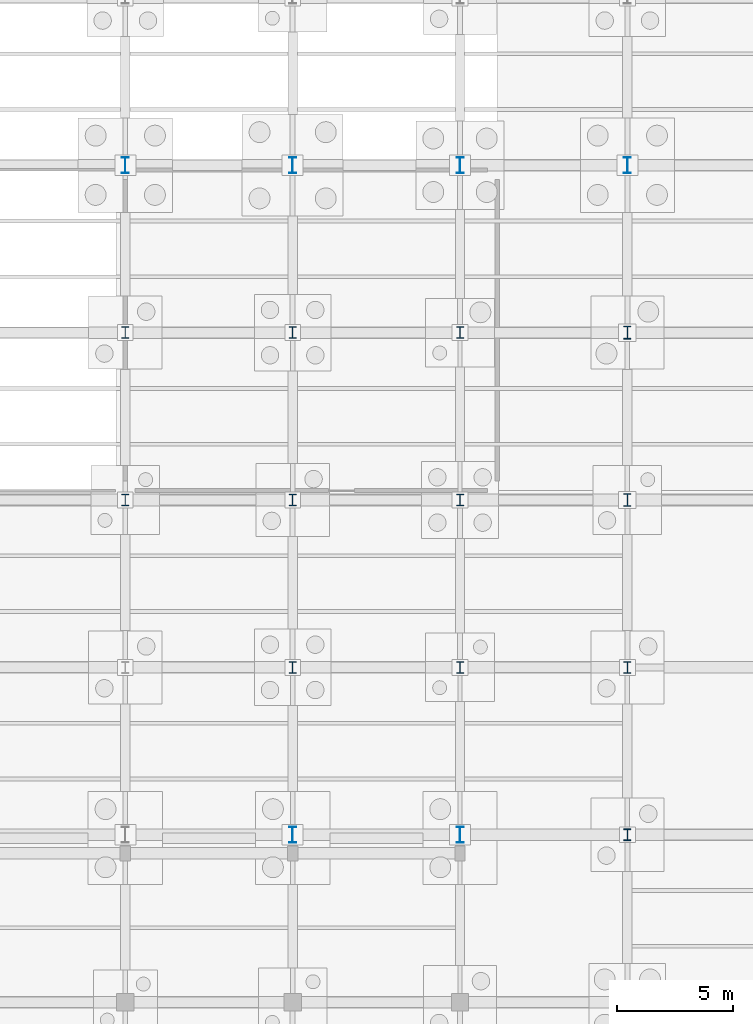
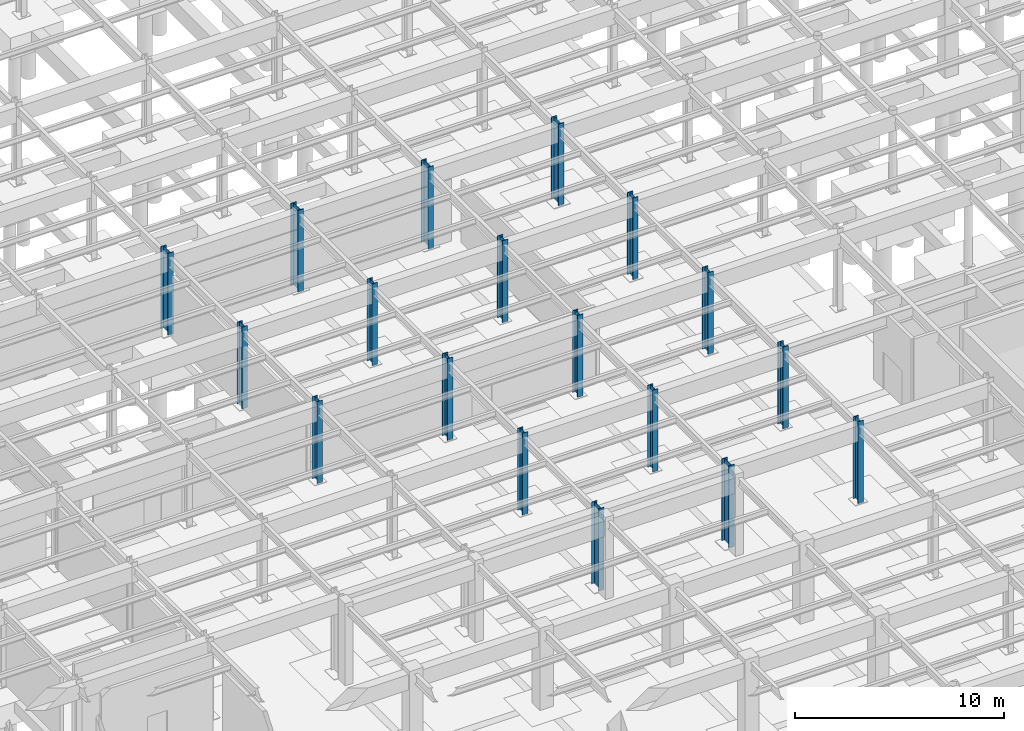
# One storey, part 24 of 64: 18 columns.
"""IFC4 building model written with IfcOpenShell, lengths in metres."""

import ifcopenshell
import ifcopenshell.guid

model = None  # the IFC model being written
_history = None  # IfcOwnerHistory: only IFC2X3 demands one
_inside = {}  # id of a spatial element -> (the spatial element, [elements in it])
_under = {}  # id of a project, library or spatial element -> (it, [spatial elements below it])
_declared = {}  # id of a project -> (the project, [libraries it declares])
_typed = {}  # id of a type object -> (the type object, [elements of that type])
_made_of = {}  # id of a material, layer set ... -> (it, [elements and type objects made of it])


def new_model(schema):
    """Start an empty IFC model of exactly this schema.

    Asked for "IFC4X3", IfcOpenShell would pick the latest addendum, in which some entities
    have other attributes; the version numbers below select the first issue.
    IFC2X3 requires an IfcOwnerHistory on every rooted entity: one is made here for all.
    """
    global model, _history
    if schema == "IFC4X3":
        model = ifcopenshell.file(schema_version=(4, 3, 0, 0))
    else:
        model = ifcopenshell.file(schema=schema)
    _inside.clear()
    _under.clear()
    _declared.clear()
    _typed.clear()
    _made_of.clear()
    _history = None
    if model.schema == "IFC2X3":
        org = make("IfcOrganization", Name="unknown")
        user = make(
            "IfcPersonAndOrganization",
            ThePerson=make("IfcPerson", FamilyName="unknown"),
            TheOrganization=org,
        )
        app = make(
            "IfcApplication",
            ApplicationDeveloper=org,
            Version="unknown",
            ApplicationFullName="unknown",
            ApplicationIdentifier="unknown",
        )
        _history = make(
            "IfcOwnerHistory",
            OwningUser=user,
            OwningApplication=app,
            ChangeAction="ADDED",
            CreationDate=0,
        )
    return model


def make(cls, **values):
    """One entity of the class cls with the attributes given. An attribute that is None is left unset."""
    return model.create_entity(
        cls, **{name: value for name, value in values.items() if value is not None}
    )


def rooted(cls, **values):
    """An entity with a GlobalId (a new one), such as an element, a storey or a relation."""
    return make(cls, GlobalId=ifcopenshell.guid.new(), OwnerHistory=_history, **values)


def si_unit(unit_type, name, prefix=None):
    """IfcSIUnit, for example si_unit("LENGTHUNIT", "METRE", prefix="MILLI")."""
    return make("IfcSIUnit", UnitType=unit_type, Prefix=prefix, Name=name)


def assignment(units):
    """IfcUnitAssignment: the units of a project."""
    return None if units is None else make("IfcUnitAssignment", Units=units)


def point(xyz):
    """IfcCartesianPoint."""
    return None if xyz is None else make("IfcCartesianPoint", Coordinates=xyz)


def direction(xyz):
    """IfcDirection."""
    return None if xyz is None else make("IfcDirection", DirectionRatios=xyz)


def frame(location, z_axis=None, x_axis=None):
    """IfcAxis2Placement3D, a coordinate frame: its origin and axes. An axis left out is left unset."""
    return make(
        "IfcAxis2Placement3D",
        Location=point(location),
        Axis=direction(z_axis),
        RefDirection=direction(x_axis),
    )


def frame_2d(location, x_axis=None):
    """IfcAxis2Placement2D, a coordinate frame in the plane: its origin and x axis."""
    return make(
        "IfcAxis2Placement2D", Location=point(location), RefDirection=direction(x_axis)
    )


def origin():
    """The frame at (0, 0, 0) with its axes left unset."""
    return frame((0.0, 0.0, 0.0))


def origin_2d():
    """The frame at (0, 0) in the plane with its x axis left unset."""
    return frame_2d((0.0, 0.0))


def place(relative_to, where):
    """IfcLocalPlacement: puts the frame where relative to a parent placement (None: the world)."""
    return make(
        "IfcLocalPlacement", PlacementRelTo=relative_to, RelativePlacement=where
    )


def context(
    kind, dimensions, precision=None, world=None, true_north=None, identifier=None
):
    """IfcGeometricRepresentationContext, for example the 3D "Model" context."""
    return make(
        "IfcGeometricRepresentationContext",
        ContextIdentifier=identifier,
        ContextType=kind,
        CoordinateSpaceDimension=dimensions,
        Precision=precision,
        WorldCoordinateSystem=world,
        TrueNorth=true_north,
    )


def subcontext(parent, identifier, kind, view, scale=None):
    """IfcGeometricRepresentationSubContext, for example "Body" below "Model"."""
    return make(
        "IfcGeometricRepresentationSubContext",
        ContextIdentifier=identifier,
        ContextType=kind,
        ParentContext=parent,
        TargetScale=scale,
        TargetView=view,
    )


def project(units=None, contexts=None):
    """IfcProject with its units and contexts."""
    return rooted(
        "IfcProject",
        Name="project",
        RepresentationContexts=contexts,
        UnitsInContext=assignment(units),
    )


def spatial(cls, under=None, at=None, **own):
    """A site, building, storey or space (cls), placed at a placement, below another one or the project."""
    s = rooted(cls, ObjectPlacement=at, **own)
    if under is not None:
        _under.setdefault(under.id(), (under, []))[1].append(s)
    return s


def profile(cls, at=None, kind="AREA", **sizes):
    """A parametric profile (cls). Its sizes go by their IFC names, for example OverallWidth=200.0."""
    return make(cls, ProfileType=kind, Position=at, **sizes)


def i_section(**sizes):
    """IfcIShapeProfileDef."""
    return profile("IfcIShapeProfileDef", **sizes)


def extrude(swept, where, along, depth):
    """IfcExtrudedAreaSolid: the profile swept, set in the frame where, extruded along a direction by depth."""
    return make(
        "IfcExtrudedAreaSolid",
        SweptArea=swept,
        Position=where,
        ExtrudedDirection=direction(along),
        Depth=depth,
    )


def shape(context_of_items, identifier, shape_type, items):
    """IfcShapeRepresentation: the items that make up one representation, for example the "Body"."""
    return make(
        "IfcShapeRepresentation",
        ContextOfItems=context_of_items,
        RepresentationIdentifier=identifier,
        RepresentationType=shape_type,
        Items=items,
    )


def material(Name=None, Category=None):
    """IfcMaterial."""
    return make("IfcMaterial", Name=Name, Category=Category)


def material_profile(
    of_material, cross_section, Name=None, Category=None, Priority=None
):
    """IfcMaterialProfile: a cross section and its material."""
    return make(
        "IfcMaterialProfile",
        Name=Name,
        Material=of_material,
        Profile=cross_section,
        Priority=Priority,
        Category=Category,
    )


def profile_set(profiles, Name=None, composite=None):
    """IfcMaterialProfileSet."""
    return make(
        "IfcMaterialProfileSet",
        Name=Name,
        MaterialProfiles=profiles,
        CompositeProfile=composite,
    )


def made_of(thing, what):
    """Note that an element or type object is made of a material, layer set ...; save() writes the relation."""
    if what is not None:
        _made_of.setdefault(what.id(), (what, []))[1].append(thing)
    return thing


def type_object(cls, material=None, **own):
    """A type object (cls), such as IfcWallType, which elements share."""
    return made_of(rooted(cls, **own), material)


def element(
    cls,
    number,
    at=None,
    inside=None,
    cuts=None,
    type_object=None,
    material=None,
    context=None,
    identifier="Body",
    shape_type=None,
    held_by="IfcProductDefinitionShape",
    body=None,
    shapes=None,
    **own,
):
    """One element of the class cls, such as IfcWall. Its Tag is "e" and its number.

    at: its placement. inside: the storey or other place that contains it. cuts: it is an
    opening in that element (IfcRelVoidsElement). A single representation is given by context,
    identifier, shape_type and body (its items); several are given by shapes. held_by: the class
    of the entity that holds the representations. save() writes the other relations.
    """
    e = rooted(cls, Tag="e%d" % number, ObjectPlacement=at, **own)
    if body is not None:
        shapes = [shape(context, identifier, shape_type, body)]
    if shapes is not None:
        e.Representation = make(held_by, Representations=shapes)
    if inside is not None:
        _inside.setdefault(inside.id(), (inside, []))[1].append(e)
    if cuts is not None:
        rooted(
            "IfcRelVoidsElement", RelatingBuildingElement=cuts, RelatedOpeningElement=e
        )
    if type_object is not None:
        _typed.setdefault(type_object.id(), (type_object, []))[1].append(e)
    return made_of(e, material)


def aggregate(whole, parts):
    """IfcRelAggregates: a whole, such as a stair, and the parts it consists of."""
    return rooted("IfcRelAggregates", RelatingObject=whole, RelatedObjects=parts)


def save(model, path):
    """Write the relations noted so far, then the file.

    IfcRelAggregates (storeys below a building ...), IfcRelContainedInSpatialStructure (elements
    in a storey), IfcRelDefinesByType, IfcRelAssociatesMaterial and IfcRelDeclares: one each for
    every whole, place, type object, material and project.
    """
    for whole, parts in _under.values():
        aggregate(whole, parts)
    for where, things in _inside.values():
        rooted(
            "IfcRelContainedInSpatialStructure",
            RelatedElements=things,
            RelatingStructure=where,
        )
    for kind, things in _typed.values():
        rooted("IfcRelDefinesByType", RelatedObjects=things, RelatingType=kind)
    for what, things in _made_of.values():
        rooted("IfcRelAssociatesMaterial", RelatedObjects=things, RelatingMaterial=what)
    for by, libraries in _declared.values():
        rooted("IfcRelDeclares", RelatingContext=by, RelatedDefinitions=libraries)
    model.write(path)


model = new_model("IFC4")

# Units and contexts
model_context = context("Model", 3, precision=1e-05, world=origin(), true_north=direction((0.0, 1.0)))
body_context = subcontext(model_context, "Body", "Model", "MODEL_VIEW")
ifc_project = project(units=[si_unit("LENGTHUNIT", "METRE"), si_unit("AREAUNIT", "SQUARE_METRE"), si_unit("VOLUMEUNIT", "CUBIC_METRE"), si_unit("PLANEANGLEUNIT", "RADIAN"), si_unit("MASSUNIT", "GRAM", prefix="KILO")], contexts=[model_context])

# Site, building, storey
site_placement = place(None, origin())
site = spatial("IfcSite", under=ifc_project, at=site_placement, CompositionType="ELEMENT")
building_placement = place(site_placement, origin())
building = spatial("IfcBuilding", under=site, at=building_placement, Name="Solvadek Multi-Sports Hall", CompositionType="ELEMENT")
storey_placement = place(building_placement, frame((0.0, 0.0, -4.800048828125)))
storey = spatial("IfcBuildingStorey", under=building, at=storey_placement, Name="B1", CompositionType="ELEMENT", Elevation=-4.800048828125)

# Columns
ifc_material = material(Name="Steel E350 (350 MPa)", Category="steel")
ifc_material_profile_1 = material_profile(ifc_material, i_section(OverallWidth=0.300048828125, OverallDepth=0.5, WebThickness=0.014404296875, FlangeThickness=0.028076171875, at=origin_2d()), Name="WPB 500")
ifc_profile_set_1 = profile_set([ifc_material_profile_1], Name="Steel E350 (350 MPa)")
column_type_1 = type_object("IfcColumnType", Name="STR-COL-WPB500", PredefinedType="COLUMN", material=ifc_profile_set_1)
for number, where, z_axis, x_axis, name in (
    (1, (36.0, 63.60009765625, 0.0), (0.0, 0.0, 1.0), (1.0, 0.0, 0.0), "B1 Column C-05 #74"),
    (2, (36.0, 70.800048828125, 0.0), (0.0, 0.0, 1.0), (1.0, 0.0, 0.0), "B1 Column C-05 #75"),
    (3, (43.199951171875, 56.39990234375, 0.0), (0.0, 0.0, 1.0), (1.0, 0.0, 0.0), "B1 Column C-05 #89"),
    (4, (43.199951171875, 63.60009765625, 0.0), (0.0, 0.0, 1.0), (1.0, 0.0, 0.0), "B1 Column C-05 #90"),
    (5, (43.199951171875, 70.800048828125, 0.0), (0.0, 0.0, 1.0), (1.0, 0.0, 0.0), "B1 Column C-05 #91"),
    (6, (50.39990234375, 56.39990234375, 0.0), (0.0, 0.0, 1.0), (1.0, 0.0, 0.0), "B1 Column C-05 #105"),
    (7, (50.39990234375, 63.60009765625, 0.0), (0.0, 0.0, 1.0), (1.0, 0.0, 0.0), "B1 Column C-05 #106"),
    (8, (50.39990234375, 70.800048828125, 0.0), (0.0, 0.0, 1.0), (1.0, 0.0, 0.0), "B1 Column C-05 #107"),
    (9, (57.60009765625, 49.199951171875, 0.0), (0.0, 0.0, 1.0), (1.0, 0.0, 0.0), "B1 Column C-05 #120"),
    (10, (57.60009765625, 56.39990234375, 0.0), (0.0, 0.0, 1.0), (1.0, 0.0, 0.0), "B1 Column C-05 #121"),
):
    element("IfcColumn", number, at=place(storey_placement, frame(where, z_axis=z_axis, x_axis=x_axis)), inside=storey, type_object=column_type_1, Name=name, PredefinedType="COLUMN", context=body_context, shape_type="SweptSolid", body=[
        extrude(i_section(OverallWidth=0.300048828125, OverallDepth=0.5, WebThickness=0.014404296875, FlangeThickness=0.028076171875, at=origin_2d()), origin(), (0.0, 0.0, 1.0), 4.800048828125),
    ])
ifc_material_profile_2 = material_profile(ifc_material, i_section(OverallWidth=0.300048828125, OverallDepth=0.550048828125, WebThickness=0.014892578125, FlangeThickness=0.029052734375, at=origin_2d()), Name="WPB 550")
ifc_profile_set_2 = profile_set([ifc_material_profile_2], Name="Steel E350 (350 MPa)")
column_type_2 = type_object("IfcColumnType", Name="STR-COL-WPB550", PredefinedType="COLUMN", material=ifc_profile_set_2)
for number, where, z_axis, x_axis, name in (
    (11, (57.60009765625, 63.60009765625, 0.0), (0.0, 0.0, 1.0), (1.0, 0.0, 0.0), "B1 Column C-04 #122"),
    (12, (57.60009765625, 70.800048828125, 0.0), (0.0, 0.0, 1.0), (1.0, 0.0, 0.0), "B1 Column C-04 #123"),
):
    element("IfcColumn", number, at=place(storey_placement, frame(where, z_axis=z_axis, x_axis=x_axis)), inside=storey, type_object=column_type_2, Name=name, PredefinedType="COLUMN", context=body_context, shape_type="SweptSolid", body=[
        extrude(i_section(OverallWidth=0.300048828125, OverallDepth=0.550048828125, WebThickness=0.014892578125, FlangeThickness=0.029052734375, at=origin_2d()), origin(), (0.0, 0.0, 1.0), 4.800048828125),
    ])
ifc_material_profile_3 = material_profile(ifc_material, i_section(OverallWidth=0.300048828125, OverallDepth=0.699951171875, WebThickness=0.01708984375, FlangeThickness=0.031982421875, at=origin_2d()), Name="WPB 700")
ifc_profile_set_3 = profile_set([ifc_material_profile_3], Name="Steel E350 (350 MPa)")
column_type_3 = type_object("IfcColumnType", Name="STR-COL-WPB700", PredefinedType="COLUMN", material=ifc_profile_set_3)
for number, where, z_axis, x_axis, name in (
    (13, (36.0, 78.0, 0.0), (0.0, 0.0, 1.0), (1.0, 0.0, 0.0), "B1 Column C-02 #76"),
    (14, (43.199951171875, 49.199951171875, 0.0), (0.0, 0.0, 1.0), (1.0, 0.0, 0.0), "B1 Column C-02 #88"),
    (15, (43.199951171875, 78.0, 0.0), (0.0, 0.0, 1.0), (1.0, 0.0, 0.0), "B1 Column C-02 #92"),
    (16, (50.39990234375, 49.199951171875, 0.0), (0.0, 0.0, 1.0), (1.0, 0.0, 0.0), "B1 Column C-02 #104"),
    (17, (50.39990234375, 78.0, 0.0), (0.0, 0.0, 1.0), (1.0, 0.0, 0.0), "B1 Column C-02 #108"),
    (18, (57.60009765625, 78.0, 0.0), (0.0, 0.0, 1.0), (1.0, 0.0, 0.0), "B1 Column C-02 #124"),
):
    element("IfcColumn", number, at=place(storey_placement, frame(where, z_axis=z_axis, x_axis=x_axis)), inside=storey, type_object=column_type_3, Name=name, PredefinedType="COLUMN", context=body_context, shape_type="SweptSolid", body=[
        extrude(i_section(OverallWidth=0.300048828125, OverallDepth=0.699951171875, WebThickness=0.01708984375, FlangeThickness=0.031982421875, at=origin_2d()), origin(), (0.0, 0.0, 1.0), 4.800048828125),
    ])

save(model, "model.ifc")
